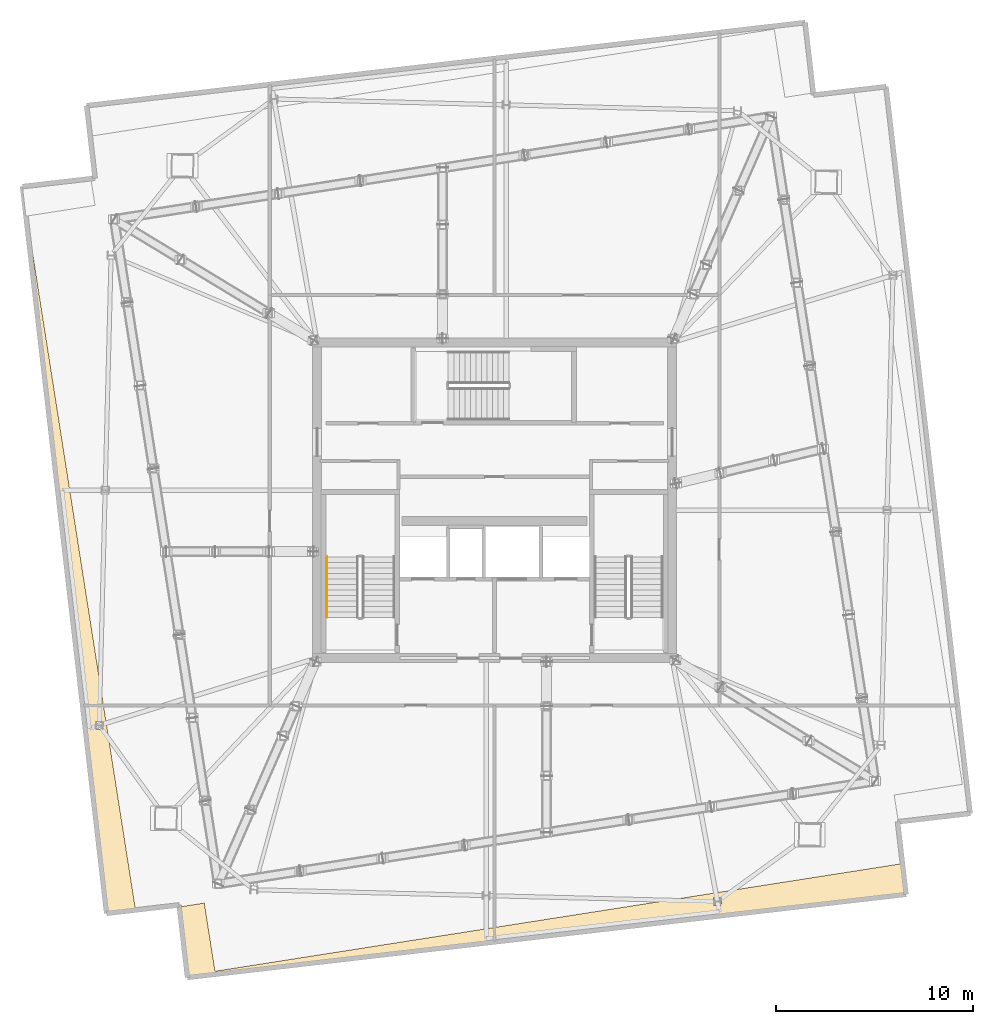
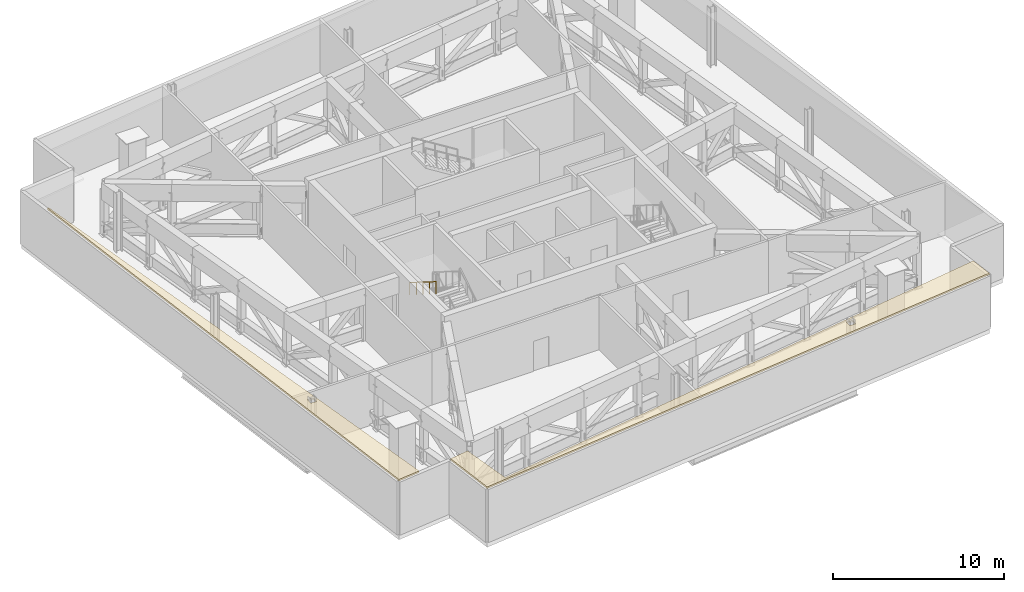
# One storey, part 11 of 13: 2 coverings, 1 railing.
"""IFC4 building model written with IfcOpenShell, lengths in metres."""

from ifc_helpers import new_model, si_unit, direction, frame, origin, origin_2d, place, context, subcontext, project, spatial, polyline, rectangle, outline, extrude, material, layer, layer_set, type_object, element, save


model = new_model("IFC4")

# Units and contexts
model_context = context("Model", 3, precision=1e-05, world=origin(), true_north=direction((0.0, 1.0)))
body_context = subcontext(model_context, "Body", "Model", "MODEL_VIEW")
ifc_project = project(units=[si_unit("LENGTHUNIT", "METRE"), si_unit("AREAUNIT", "SQUARE_METRE"), si_unit("VOLUMEUNIT", "CUBIC_METRE"), si_unit("PLANEANGLEUNIT", "RADIAN"), si_unit("MASSUNIT", "GRAM", prefix="KILO")], contexts=[model_context])

# Site, building, storey
site_placement = place(None, origin())
site = spatial("IfcSite", under=ifc_project, at=site_placement, CompositionType="ELEMENT")
building_placement = place(site_placement, origin())
building = spatial("IfcBuilding", under=site, at=building_placement, Name="Haldenkirk Collegiate Tower", CompositionType="ELEMENT")
storey_placement = place(building_placement, frame((0.0, 0.0, 352.199951171875)))
storey = spatial("IfcBuildingStorey", under=building, at=storey_placement, Name="L89", CompositionType="ELEMENT", Elevation=352.199951171875)

# Coverings
ifc_material_1 = material(Name="Insulated SBS modified-bitumen roofing assembly", Category="concrete")
ifc_layer = layer(ifc_material_1, 0.1201171875)
ifc_layer_set = layer_set([ifc_layer], Name="Insulated SBS modified-bitumen roofing assembly")
covering_type = type_object("IfcCoveringType", Name="COV-ROOFING-120", PredefinedType="ROOFING", material=ifc_layer_set)
covering_1_placement = place(storey_placement, frame((0.0, 0.0, 3.800048828125)))
element("IfcCovering", 1, at=covering_1_placement, inside=storey, type_object=covering_type, Name="L89 crown ledge roof membrane 02", PredefinedType="ROOFING", context=body_context, shape_type="SweptSolid", body=[
    extrude(outline(polyline([(12.445068359375, 39.387939453125), (12.35595703125, 39.375732421875), (16.32763671875, 5.050048828125), (17.795654296875, 5.219970703125), (12.445068359375, 39.387939453125)]), holes=[polyline([(16.15625, 14.78271484375), (16.146240234375, 14.3828125), (15.75341796875, 14.392578125), (15.763427734375, 14.79248046875), (16.15625, 14.78271484375)])]), origin(), (0.0, 0.0, 1.0), 0.1201171875),
])
covering_2_placement = place(storey_placement, frame((0.0, 0.0, 3.800048828125)))
element("IfcCovering", 2, at=covering_2_placement, inside=storey, type_object=covering_type, Name="L89 crown ledge roof membrane 04", PredefinedType="ROOFING", context=body_context, shape_type="SweptSolid", body=[
    extrude(outline(polyline([(20.42822265625, 1.7998046875), (56.860107421875, 6.01513671875), (56.679443359375, 7.577392578125), (21.823974609375, 2.119384765625), (21.282470703125, 5.5771484375), (20.01416015625, 5.37841796875), (20.42822265625, 1.7998046875)]), holes=[polyline([(47.498291015625, 5.8525390625), (47.48828125, 5.45263671875), (47.095458984375, 5.462646484375), (47.10546875, 5.862548828125), (47.498291015625, 5.8525390625)])]), origin(), (0.0, 0.0, 1.0), 0.1201171875),
])

# Railing
ifc_material_2 = material(Name="Painted architectural tubular steel", Category="steel")
railing_type = type_object("IfcRailingType", Name="RLG-STAIR-HANDRAIL-900", PredefinedType="HANDRAIL", material=ifc_material_2)
railing_placement = place(storey_placement, frame((27.5, 23.1298828125, 2.275146484375)))
element("IfcRailing", 3, at=railing_placement, inside=storey, type_object=railing_type, Name="L89 ST-1 stair handrail 2", PredefinedType="HANDRAIL", context=body_context, shape_type="SweptSolid", body=[
    extrude(rectangle(XDim=0.048095703125, YDim=0.048095703125, at=origin_2d()), frame((0.0, 0.0, 0.8759765625), z_axis=(0.0, -0.848009633417, 0.529980812513), x_axis=(1.0, 0.0, 0.0)), (0.0, 0.0, 1.0), 3.6318359375),
    extrude(rectangle(XDim=0.0419921875, YDim=0.0419921875, at=origin_2d()), origin(), (0.0, 0.0, 1.0), 0.851806640625),
    extrude(rectangle(XDim=0.0419921875, YDim=0.0419921875, at=origin_2d()), frame((0.0, -0.77001953125, 0.481201171875)), (0.0, 0.0, 1.0), 0.851806640625),
    extrude(rectangle(XDim=0.0419921875, YDim=0.0419921875, at=origin_2d()), frame((0.0, -1.5400390625, 0.96240234375)), (0.0, 0.0, 1.0), 0.851806640625),
    extrude(rectangle(XDim=0.0419921875, YDim=0.0419921875, at=origin_2d()), frame((0.0, -2.309814453125, 1.443603515625)), (0.0, 0.0, 1.0), 0.851806640625),
    extrude(rectangle(XDim=0.0419921875, YDim=0.0419921875, at=origin_2d()), frame((0.0, -3.079833984375, 1.9248046875)), (0.0, 0.0, 1.0), 0.851806640625),
])

save(model, "model.ifc")
